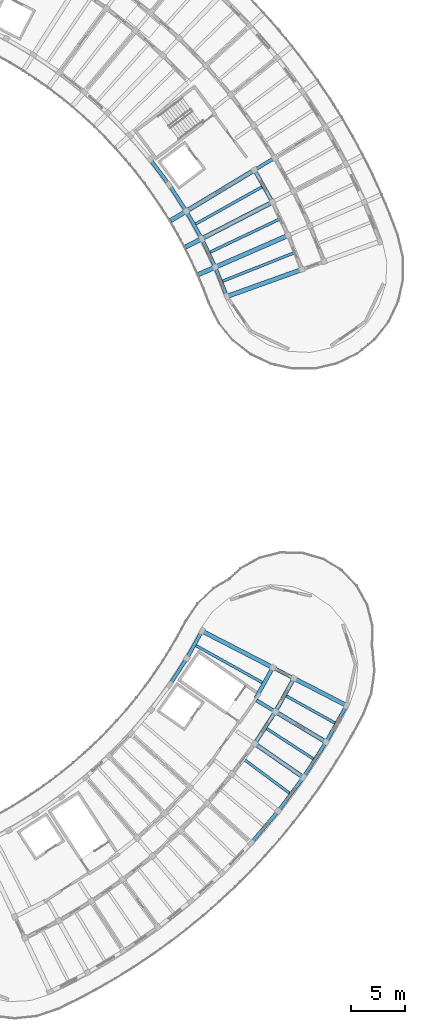
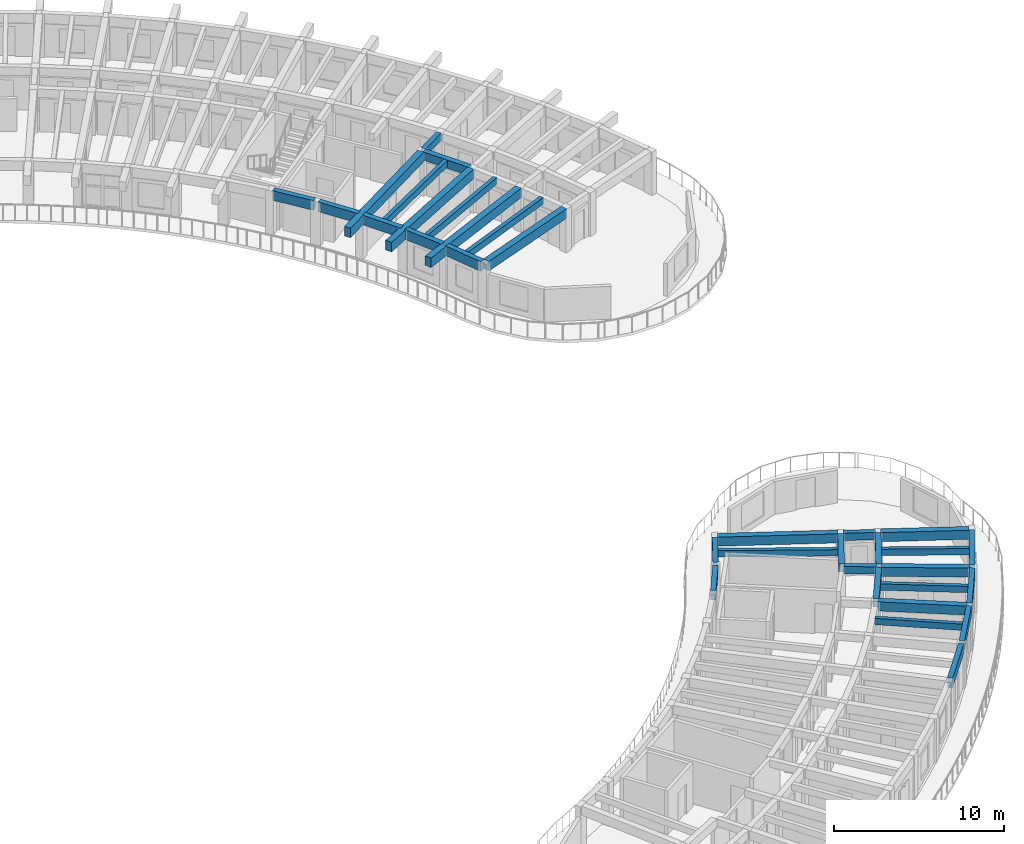
# One storey, part 12 of 56: 33 beams.
"""IFC4 building model written with IfcOpenShell, lengths in metres."""

import ifcopenshell
import ifcopenshell.guid

model = None  # the IFC model being written
_history = None  # IfcOwnerHistory: only IFC2X3 demands one
_inside = {}  # id of a spatial element -> (the spatial element, [elements in it])
_under = {}  # id of a project, library or spatial element -> (it, [spatial elements below it])
_declared = {}  # id of a project -> (the project, [libraries it declares])
_typed = {}  # id of a type object -> (the type object, [elements of that type])
_made_of = {}  # id of a material, layer set ... -> (it, [elements and type objects made of it])


def new_model(schema):
    """Start an empty IFC model of exactly this schema.

    Asked for "IFC4X3", IfcOpenShell would pick the latest addendum, in which some entities
    have other attributes; the version numbers below select the first issue.
    IFC2X3 requires an IfcOwnerHistory on every rooted entity: one is made here for all.
    """
    global model, _history
    if schema == "IFC4X3":
        model = ifcopenshell.file(schema_version=(4, 3, 0, 0))
    else:
        model = ifcopenshell.file(schema=schema)
    _inside.clear()
    _under.clear()
    _declared.clear()
    _typed.clear()
    _made_of.clear()
    _history = None
    if model.schema == "IFC2X3":
        org = make("IfcOrganization", Name="unknown")
        user = make(
            "IfcPersonAndOrganization",
            ThePerson=make("IfcPerson", FamilyName="unknown"),
            TheOrganization=org,
        )
        app = make(
            "IfcApplication",
            ApplicationDeveloper=org,
            Version="unknown",
            ApplicationFullName="unknown",
            ApplicationIdentifier="unknown",
        )
        _history = make(
            "IfcOwnerHistory",
            OwningUser=user,
            OwningApplication=app,
            ChangeAction="ADDED",
            CreationDate=0,
        )
    return model


def make(cls, **values):
    """One entity of the class cls with the attributes given. An attribute that is None is left unset."""
    return model.create_entity(
        cls, **{name: value for name, value in values.items() if value is not None}
    )


def rooted(cls, **values):
    """An entity with a GlobalId (a new one), such as an element, a storey or a relation."""
    return make(cls, GlobalId=ifcopenshell.guid.new(), OwnerHistory=_history, **values)


def si_unit(unit_type, name, prefix=None):
    """IfcSIUnit, for example si_unit("LENGTHUNIT", "METRE", prefix="MILLI")."""
    return make("IfcSIUnit", UnitType=unit_type, Prefix=prefix, Name=name)


def assignment(units):
    """IfcUnitAssignment: the units of a project."""
    return None if units is None else make("IfcUnitAssignment", Units=units)


def point(xyz):
    """IfcCartesianPoint."""
    return None if xyz is None else make("IfcCartesianPoint", Coordinates=xyz)


def direction(xyz):
    """IfcDirection."""
    return None if xyz is None else make("IfcDirection", DirectionRatios=xyz)


def frame(location, z_axis=None, x_axis=None):
    """IfcAxis2Placement3D, a coordinate frame: its origin and axes. An axis left out is left unset."""
    return make(
        "IfcAxis2Placement3D",
        Location=point(location),
        Axis=direction(z_axis),
        RefDirection=direction(x_axis),
    )


def frame_2d(location, x_axis=None):
    """IfcAxis2Placement2D, a coordinate frame in the plane: its origin and x axis."""
    return make(
        "IfcAxis2Placement2D", Location=point(location), RefDirection=direction(x_axis)
    )


def origin():
    """The frame at (0, 0, 0) with its axes left unset."""
    return frame((0.0, 0.0, 0.0))


def origin_2d():
    """The frame at (0, 0) in the plane with its x axis left unset."""
    return frame_2d((0.0, 0.0))


def place(relative_to, where):
    """IfcLocalPlacement: puts the frame where relative to a parent placement (None: the world)."""
    return make(
        "IfcLocalPlacement", PlacementRelTo=relative_to, RelativePlacement=where
    )


def context(
    kind, dimensions, precision=None, world=None, true_north=None, identifier=None
):
    """IfcGeometricRepresentationContext, for example the 3D "Model" context."""
    return make(
        "IfcGeometricRepresentationContext",
        ContextIdentifier=identifier,
        ContextType=kind,
        CoordinateSpaceDimension=dimensions,
        Precision=precision,
        WorldCoordinateSystem=world,
        TrueNorth=true_north,
    )


def subcontext(parent, identifier, kind, view, scale=None):
    """IfcGeometricRepresentationSubContext, for example "Body" below "Model"."""
    return make(
        "IfcGeometricRepresentationSubContext",
        ContextIdentifier=identifier,
        ContextType=kind,
        ParentContext=parent,
        TargetScale=scale,
        TargetView=view,
    )


def project(units=None, contexts=None):
    """IfcProject with its units and contexts."""
    return rooted(
        "IfcProject",
        Name="project",
        RepresentationContexts=contexts,
        UnitsInContext=assignment(units),
    )


def spatial(cls, under=None, at=None, **own):
    """A site, building, storey or space (cls), placed at a placement, below another one or the project."""
    s = rooted(cls, ObjectPlacement=at, **own)
    if under is not None:
        _under.setdefault(under.id(), (under, []))[1].append(s)
    return s


def profile(cls, at=None, kind="AREA", **sizes):
    """A parametric profile (cls). Its sizes go by their IFC names, for example OverallWidth=200.0."""
    return make(cls, ProfileType=kind, Position=at, **sizes)


def rectangle(**sizes):
    """IfcRectangleProfileDef."""
    return profile("IfcRectangleProfileDef", **sizes)


def extrude(swept, where, along, depth):
    """IfcExtrudedAreaSolid: the profile swept, set in the frame where, extruded along a direction by depth."""
    return make(
        "IfcExtrudedAreaSolid",
        SweptArea=swept,
        Position=where,
        ExtrudedDirection=direction(along),
        Depth=depth,
    )


def shape(context_of_items, identifier, shape_type, items):
    """IfcShapeRepresentation: the items that make up one representation, for example the "Body"."""
    return make(
        "IfcShapeRepresentation",
        ContextOfItems=context_of_items,
        RepresentationIdentifier=identifier,
        RepresentationType=shape_type,
        Items=items,
    )


def material(Name=None, Category=None):
    """IfcMaterial."""
    return make("IfcMaterial", Name=Name, Category=Category)


def material_profile(
    of_material, cross_section, Name=None, Category=None, Priority=None
):
    """IfcMaterialProfile: a cross section and its material."""
    return make(
        "IfcMaterialProfile",
        Name=Name,
        Material=of_material,
        Profile=cross_section,
        Priority=Priority,
        Category=Category,
    )


def profile_set(profiles, Name=None, composite=None):
    """IfcMaterialProfileSet."""
    return make(
        "IfcMaterialProfileSet",
        Name=Name,
        MaterialProfiles=profiles,
        CompositeProfile=composite,
    )


def made_of(thing, what):
    """Note that an element or type object is made of a material, layer set ...; save() writes the relation."""
    if what is not None:
        _made_of.setdefault(what.id(), (what, []))[1].append(thing)
    return thing


def type_object(cls, material=None, **own):
    """A type object (cls), such as IfcWallType, which elements share."""
    return made_of(rooted(cls, **own), material)


def element(
    cls,
    number,
    at=None,
    inside=None,
    cuts=None,
    type_object=None,
    material=None,
    context=None,
    identifier="Body",
    shape_type=None,
    held_by="IfcProductDefinitionShape",
    body=None,
    shapes=None,
    **own,
):
    """One element of the class cls, such as IfcWall. Its Tag is "e" and its number.

    at: its placement. inside: the storey or other place that contains it. cuts: it is an
    opening in that element (IfcRelVoidsElement). A single representation is given by context,
    identifier, shape_type and body (its items); several are given by shapes. held_by: the class
    of the entity that holds the representations. save() writes the other relations.
    """
    e = rooted(cls, Tag="e%d" % number, ObjectPlacement=at, **own)
    if body is not None:
        shapes = [shape(context, identifier, shape_type, body)]
    if shapes is not None:
        e.Representation = make(held_by, Representations=shapes)
    if inside is not None:
        _inside.setdefault(inside.id(), (inside, []))[1].append(e)
    if cuts is not None:
        rooted(
            "IfcRelVoidsElement", RelatingBuildingElement=cuts, RelatedOpeningElement=e
        )
    if type_object is not None:
        _typed.setdefault(type_object.id(), (type_object, []))[1].append(e)
    return made_of(e, material)


def aggregate(whole, parts):
    """IfcRelAggregates: a whole, such as a stair, and the parts it consists of."""
    return rooted("IfcRelAggregates", RelatingObject=whole, RelatedObjects=parts)


def save(model, path):
    """Write the relations noted so far, then the file.

    IfcRelAggregates (storeys below a building ...), IfcRelContainedInSpatialStructure (elements
    in a storey), IfcRelDefinesByType, IfcRelAssociatesMaterial and IfcRelDeclares: one each for
    every whole, place, type object, material and project.
    """
    for whole, parts in _under.values():
        aggregate(whole, parts)
    for where, things in _inside.values():
        rooted(
            "IfcRelContainedInSpatialStructure",
            RelatedElements=things,
            RelatingStructure=where,
        )
    for kind, things in _typed.values():
        rooted("IfcRelDefinesByType", RelatedObjects=things, RelatingType=kind)
    for what, things in _made_of.values():
        rooted("IfcRelAssociatesMaterial", RelatedObjects=things, RelatingMaterial=what)
    for by, libraries in _declared.values():
        rooted("IfcRelDeclares", RelatingContext=by, RelatedDefinitions=libraries)
    model.write(path)


model = new_model("IFC4")

# Units and contexts
model_context = context("Model", 3, precision=1e-05, world=origin(), true_north=direction((0.0, 1.0)))
body_context = subcontext(model_context, "Body", "Model", "MODEL_VIEW")
ifc_project = project(units=[si_unit("LENGTHUNIT", "METRE"), si_unit("AREAUNIT", "SQUARE_METRE"), si_unit("VOLUMEUNIT", "CUBIC_METRE"), si_unit("PLANEANGLEUNIT", "RADIAN"), si_unit("MASSUNIT", "GRAM", prefix="KILO")], contexts=[model_context])

# Site, building, storey
site_placement = place(None, origin())
site = spatial("IfcSite", under=ifc_project, at=site_placement, CompositionType="ELEMENT")
building_placement = place(site_placement, origin())
building = spatial("IfcBuilding", under=site, at=building_placement, Name="Tanwirah Colonnade Gardens", CompositionType="ELEMENT")
storey_placement = place(building_placement, frame((0.0, 0.0, 29.0)))
storey = spatial("IfcBuildingStorey", under=building, at=storey_placement, Name="L08", CompositionType="ELEMENT", Elevation=29.0)

# Beams
ifc_material_1 = material(Name="Precast concrete C40/50", Category="concrete")
ifc_material_profile_1 = material_profile(ifc_material_1, rectangle(XDim=0.360107421875, YDim=0.610107421875, at=origin_2d()), Name="PC-BM 360x610")
ifc_profile_set_1 = profile_set([ifc_material_profile_1], Name="Precast concrete C40/50")
beam_type_1 = type_object("IfcBeamType", Name="BM-PC300", PredefinedType="BEAM", material=ifc_profile_set_1)
beam_1_placement = place(storey_placement, frame((165.491455078125, 33.817626953125, 2.820068359375), z_axis=(0.542825891173, 0.839845254718, 0.0), x_axis=(-0.839845254718, 0.542825891173, 0.0)))
element("IfcBeam", 1, at=beam_1_placement, inside=storey, type_object=beam_type_1, Name="Block D L08 Circumferential Beam 11-R2", PredefinedType="BEAM", context=body_context, shape_type="SweptSolid", body=[
    extrude(rectangle(XDim=0.360107421875, YDim=0.610107421875, at=origin_2d()), origin(), (0.0, 0.0, 1.0), 3.23681640625),
])
beam_2_placement = place(storey_placement, frame((165.51708984375, 37.92626953125, 2.820068359375), z_axis=(0.486708181837, 0.873564620239, 0.0), x_axis=(-0.873564620239, 0.486708181837, 0.0)))
element("IfcBeam", 2, at=beam_2_placement, inside=storey, type_object=beam_type_1, Name="Block D L08 Circumferential Beam 12-R1", PredefinedType="BEAM", context=body_context, shape_type="SweptSolid", body=[
    extrude(rectangle(XDim=0.360107421875, YDim=0.610107421875, at=origin_2d()), origin(), (0.0, 0.0, 1.0), 3.093017578125),
])
beam_3_placement = place(storey_placement, frame((167.40283203125, 36.793212890625, 2.820068359375), z_axis=(0.486712025227, 0.873562478875, 0.0), x_axis=(-0.873562478875, 0.486712025227, 0.0)))
element("IfcBeam", 3, at=beam_3_placement, inside=storey, type_object=beam_type_1, Name="Block D L08 Circumferential Beam 12-R2", PredefinedType="BEAM", context=body_context, shape_type="SweptSolid", body=[
    extrude(rectangle(XDim=0.360107421875, YDim=0.610107421875, at=origin_2d()), origin(), (0.0, 0.0, 1.0), 3.23681640625),
])
ifc_material_profile_2 = material_profile(ifc_material_1, rectangle(XDim=0.320068359375, YDim=0.52001953125, at=origin_2d()), Name="PC-BM 320x520")
ifc_profile_set_2 = profile_set([ifc_material_profile_2], Name="Precast concrete C40/50")
beam_type_2 = type_object("IfcBeamType", Name="BM-PC320", PredefinedType="BEAM", material=ifc_profile_set_2)
for number, where, z_axis, x_axis, name in (
    (4, (165.520751953125, 87.068359375, 2.85498046875), (0.856174920318, 0.516686080534, 0.0), (-0.516686080534, 0.856174920318, 0.0), "Block B L08 Corridor Tie Beam 4"),
    (5, (165.57275390625, 37.718017578125, 2.864990234375), (0.857186654737, -0.515005863017, 0.0), (0.515005863017, 0.857186654737, 0.0), "Block D L08 Corridor Tie Beam 12"),
    (6, (167.22900390625, 40.690673828125, 2.864990234375), (0.888965044602, -0.457975053334, 0.0), (0.457975053334, 0.888965044602, 0.0), "Block D L08 Corridor Tie Beam 13"),
):
    element("IfcBeam", number, at=place(storey_placement, frame(where, z_axis=z_axis, x_axis=x_axis)), inside=storey, type_object=beam_type_2, Name=name, PredefinedType="BEAM", context=body_context, shape_type="SweptSolid", body=[
        extrude(rectangle(XDim=0.320068359375, YDim=0.52001953125, at=origin_2d()), origin(), (0.0, 0.0, 1.0), 1.89990234375),
    ])
ifc_material_profile_3 = material_profile(ifc_material_1, rectangle(XDim=0.35009765625, YDim=0.60009765625, at=origin_2d()), Name="PC-BM 350x600")
ifc_profile_set_3 = profile_set([ifc_material_profile_3], Name="Precast concrete C40/50")
beam_type_3 = type_object("IfcBeamType", Name="BM-PC350B", PredefinedType="BEAM", material=ifc_profile_set_3)
beam_4_placement = place(storey_placement, frame((166.98779296875, 84.138671875, 2.81494140625), z_axis=(-0.488200372352, 0.872731571811, 0.0), x_axis=(-0.872731571811, -0.488200372352, 0.0)))
element("IfcBeam", 7, at=beam_4_placement, inside=storey, type_object=beam_type_3, Name="Block B L08 Circumferential Beam 3-R1", PredefinedType="BEAM", context=body_context, shape_type="SweptSolid", body=[
    extrude(rectangle(XDim=0.35009765625, YDim=0.60009765625, at=origin_2d()), origin(), (0.0, 0.0, 1.0), 3.117919921875),
])
ifc_material_2 = material(Name="Precast concrete C45/55", Category="concrete")
ifc_material_profile_4 = material_profile(ifc_material_2, rectangle(XDim=0.39990234375, YDim=0.64990234375, at=origin_2d()), Name="PC-BM 400x650")
ifc_profile_set_4 = profile_set([ifc_material_profile_4], Name="Precast concrete C45/55")
beam_type_4 = type_object("IfcBeamType", Name="BM-PC400", PredefinedType="BEAM", material=ifc_profile_set_4)
beam_5_placement = place(storey_placement, frame((165.533203125, 33.606201171875, 2.800048828125), z_axis=(0.821644204852, -0.570000702309, 0.0), x_axis=(0.570000702309, 0.821644204852, 0.0)))
element("IfcBeam", 8, at=beam_5_placement, inside=storey, type_object=beam_type_4, Name="Block D L08 Outer Radial Precast Girder 11", PredefinedType="BEAM", context=body_context, shape_type="SweptSolid", body=[
    extrude(rectangle(XDim=0.39990234375, YDim=0.64990234375, at=origin_2d()), origin(), (0.0, 0.0, 1.0), 5.2001953125),
])
beam_6_placement = place(storey_placement, frame((167.45849609375, 36.5849609375, 2.800048828125), z_axis=(0.857165483371, -0.515041099445, 0.0), x_axis=(0.515041099445, 0.857165483371, 0.0)))
element("IfcBeam", 9, at=beam_6_placement, inside=storey, type_object=beam_type_4, Name="Block D L08 Outer Radial Precast Girder 12", PredefinedType="BEAM", context=body_context, shape_type="SweptSolid", body=[
    extrude(rectangle(XDim=0.39990234375, YDim=0.64990234375, at=origin_2d()), origin(), (0.0, 0.0, 1.0), 5.199951171875),
])
beam_7_placement = place(storey_placement, frame((166.962158203125, 40.827880859375, 2.800048828125), z_axis=(-0.889012732153, 0.457882476265, 0.0), x_axis=(-0.457882476265, -0.889012732153, 0.0)))
element("IfcBeam", 10, at=beam_7_placement, inside=storey, type_object=beam_type_4, Name="Block D L08 Inner Radial Precast Girder 13", PredefinedType="BEAM", context=body_context, shape_type="SweptSolid", body=[
    extrude(rectangle(XDim=0.39990234375, YDim=0.64990234375, at=origin_2d()), origin(), (0.0, 0.0, 1.0), 7.10009765625),
])
beam_8_placement = place(storey_placement, frame((169.184814453125, 39.683349609375, 2.800048828125), z_axis=(0.889001198624, -0.457904868771, 0.0), x_axis=(0.457904868771, 0.889001198624, 0.0)))
element("IfcBeam", 11, at=beam_8_placement, inside=storey, type_object=beam_type_4, Name="Block D L08 Outer Radial Precast Girder 13", PredefinedType="BEAM", context=body_context, shape_type="SweptSolid", body=[
    extrude(rectangle(XDim=0.39990234375, YDim=0.64990234375, at=origin_2d()), origin(), (0.0, 0.0, 1.0), 5.199951171875),
])
ifc_material_profile_5 = material_profile(ifc_material_2, rectangle(XDim=0.419921875, YDim=0.679931640625, at=origin_2d()), Name="PC-BM 420x680")
ifc_profile_set_5 = profile_set([ifc_material_profile_5], Name="Precast concrete C45/55")
beam_type_5 = type_object("IfcBeamType", Name="BM-PC420", PredefinedType="BEAM", material=ifc_profile_set_5)
beam_9_placement = place(storey_placement, frame((169.650390625, 77.69384765625, 2.77490234375), z_axis=(-0.941016219432, -0.338361455792, 0.0), x_axis=(0.338361455792, -0.941016219432, 0.0)))
element("IfcBeam", 12, at=beam_9_placement, inside=storey, type_object=beam_type_5, Name="Block B L08 Inner Radial Precast Girder 1", PredefinedType="BEAM", context=body_context, shape_type="SweptSolid", body=[
    extrude(rectangle(XDim=0.419921875, YDim=0.679931640625, at=origin_2d()), origin(), (0.0, 0.0, 1.0), 7.099853515625),
])
beam_10_placement = place(storey_placement, frame((168.39208984375, 80.861328125, 2.77490234375), z_axis=(-0.916669317869, -0.399646545934, 0.0), x_axis=(0.399646545934, -0.916669317869, 0.0)))
element("IfcBeam", 13, at=beam_10_placement, inside=storey, type_object=beam_type_5, Name="Block B L08 Inner Radial Precast Girder 2", PredefinedType="BEAM", context=body_context, shape_type="SweptSolid", body=[
    extrude(rectangle(XDim=0.419921875, YDim=0.679931640625, at=origin_2d()), origin(), (0.0, 0.0, 1.0), 8.9501953125),
])
beam_11_placement = place(storey_placement, frame((166.927734375, 83.93896484375, 2.77490234375), z_axis=(-0.888345427876, -0.459175784175, 0.0), x_axis=(0.459175784175, -0.888345427876, 0.0)))
element("IfcBeam", 14, at=beam_11_placement, inside=storey, type_object=beam_type_5, Name="Block B L08 Inner Radial Precast Girder 3", PredefinedType="BEAM", context=body_context, shape_type="SweptSolid", body=[
    extrude(rectangle(XDim=0.419921875, YDim=0.679931640625, at=origin_2d()), origin(), (0.0, 0.0, 1.0), 8.949951171875),
])
beam_12_placement = place(storey_placement, frame((165.263916015625, 86.913330078125, 2.77490234375), z_axis=(-0.856168728297, -0.516696340887, 0.0), x_axis=(0.516696340887, -0.856168728297, 0.0)))
element("IfcBeam", 15, at=beam_12_placement, inside=storey, type_object=beam_type_5, Name="Block B L08 Inner Radial Precast Girder 4", PredefinedType="BEAM", context=body_context, shape_type="SweptSolid", body=[
    extrude(rectangle(XDim=0.419921875, YDim=0.679931640625, at=origin_2d()), origin(), (0.0, 0.0, 1.0), 8.9501953125),
])
ifc_material_profile_6 = material_profile(ifc_material_1, rectangle(XDim=0.2548828125, YDim=0.455078125, at=origin_2d()), Name="PC-JST 255x455")
ifc_profile_set_6 = profile_set([ifc_material_profile_6], Name="Precast concrete C40/50")
beam_type_6 = type_object("IfcBeamType", Name="JST-PC240", PredefinedType="JOIST", material=ifc_profile_set_6)
for number, where, z_axis, x_axis, name in (
    (16, (164.474609375, 32.18359375, 2.8974609375), (0.802560347737, -0.596570941499, 0.0), (0.596570941499, 0.802560347737, 0.0), "Block D L08 Precast Floor Joist 10"),
    (17, (166.4951171875, 35.09619140625, 2.8974609375), (0.839842770955, -0.542829733963, 0.0), (0.542829733963, 0.839842770955, 0.0), "Block D L08 Precast Floor Joist 11"),
    (18, (168.32080078125, 38.134521484375, 2.8974609375), (0.87356769437, -0.486702664214, 0.0), (0.486702664214, 0.87356769437, 0.0), "Block D L08 Precast Floor Joist 12"),
):
    element("IfcBeam", number, at=place(storey_placement, frame(where, z_axis=z_axis, x_axis=x_axis)), inside=storey, type_object=beam_type_6, Name=name, PredefinedType="JOIST", context=body_context, shape_type="SweptSolid", body=[
        extrude(rectangle(XDim=0.2548828125, YDim=0.455078125, at=origin_2d()), origin(), (0.0, 0.0, 1.0), 5.260009765625),
    ])
beam_13_placement = place(storey_placement, frame((159.9345703125, 42.80712890625, 2.8974609375), z_axis=(0.873559899034, -0.486716655561, 0.0), x_axis=(0.486716655561, 0.873559899034, 0.0)))
element("IfcBeam", 19, at=beam_13_placement, inside=storey, type_object=beam_type_6, Name="Block D L08 Inner Precast Floor Joist 12", PredefinedType="JOIST", context=body_context, shape_type="SweptSolid", body=[
    extrude(rectangle(XDim=0.2548828125, YDim=0.455078125, at=origin_2d()), origin(), (0.0, 0.0, 1.0), 7.159912109375),
])
ifc_material_profile_7 = material_profile(ifc_material_1, rectangle(XDim=0.260009765625, YDim=0.4599609375, at=origin_2d()), Name="PC-JST 260x460")
ifc_profile_set_7 = profile_set([ifc_material_profile_7], Name="Precast concrete C40/50")
beam_type_7 = type_object("IfcBeamType", Name="JST-PC260", PredefinedType="JOIST", material=ifc_profile_set_7)
for number, where, z_axis, x_axis, name in (
    (20, (162.4208984375, 76.655517578125, 2.885009765625), (0.929348880779, 0.369202732649, 0.0), (-0.369202732649, 0.929348880779, 0.0), "Block B L08 Inner Precast Floor Joist 1"),
    (21, (161.246826171875, 79.348876953125, 2.885009765625), (0.903005429363, 0.429629136048, 0.0), (-0.429629136048, 0.903005429363, 0.0), "Block B L08 Inner Precast Floor Joist 2"),
    (22, (159.897705078125, 81.958984375, 2.885009765625), (0.872726875563, 0.488208767506, 0.0), (-0.488208767506, 0.872726875563, 0.0), "Block B L08 Inner Precast Floor Joist 3"),
):
    element("IfcBeam", number, at=place(storey_placement, frame(where, z_axis=z_axis, x_axis=x_axis)), inside=storey, type_object=beam_type_7, Name=name, PredefinedType="JOIST", context=body_context, shape_type="SweptSolid", body=[
        extrude(rectangle(XDim=0.260009765625, YDim=0.4599609375, at=origin_2d()), origin(), (0.0, 0.0, 1.0), 7.16015625),
    ])
ifc_material_profile_8 = material_profile(ifc_material_1, rectangle(XDim=0.324951171875, YDim=0.68505859375, at=origin_2d()), Name="PC-SP 325x685")
ifc_profile_set_8 = profile_set([ifc_material_profile_8], Name="Precast concrete C40/50")
beam_type_8 = type_object("IfcBeamType", Name="SP-PC260", PredefinedType="SPANDREL", material=ifc_profile_set_8)
beam_14_placement = place(storey_placement, frame((165.17724609375, 24.574951171875, 2.782470703125), z_axis=(0.647784367984, 0.76182374116, 0.0), x_axis=(-0.76182374116, 0.647784367984, 0.0)))
element("IfcBeam", 23, at=beam_14_placement, inside=storey, type_object=beam_type_8, Name="Block D L08 Circumferential Beam 9-R3", PredefinedType="SPANDREL", context=body_context, shape_type="SweptSolid", body=[
    extrude(rectangle(XDim=0.324951171875, YDim=0.68505859375, at=origin_2d()), origin(), (0.0, 0.0, 1.0), 3.5966796875),
])
beam_15_placement = place(storey_placement, frame((167.69384765625, 27.549560546875, 2.782470703125), z_axis=(0.596562665898, 0.802566499212, 0.0), x_axis=(-0.802566499212, 0.596562665898, 0.0)))
element("IfcBeam", 24, at=beam_15_placement, inside=storey, type_object=beam_type_8, Name="Block D L08 Circumferential Beam 10-R3", PredefinedType="SPANDREL", context=body_context, shape_type="SweptSolid", body=[
    extrude(rectangle(XDim=0.324951171875, YDim=0.68505859375, at=origin_2d()), origin(), (0.0, 0.0, 1.0), 3.596923828125),
])
beam_16_placement = place(storey_placement, frame((157.603515625, 39.28955078125, 2.782470703125), z_axis=(0.542874837406, 0.83981361677, 0.0), x_axis=(-0.83981361677, 0.542874837406, 0.0)))
element("IfcBeam", 25, at=beam_16_placement, inside=storey, type_object=beam_type_8, Name="Block D L08 Circumferential Beam 11-R0", PredefinedType="SPANDREL", context=body_context, shape_type="SweptSolid", body=[
    extrude(rectangle(XDim=0.324951171875, YDim=0.68505859375, at=origin_2d()), origin(), (0.0, 0.0, 1.0), 2.60888671875),
])
beam_17_placement = place(storey_placement, frame((170.010498046875, 30.6826171875, 2.782470703125), z_axis=(0.542786838894, 0.839870494495, 0.0), x_axis=(-0.839870494495, 0.542786838894, 0.0)))
element("IfcBeam", 26, at=beam_17_placement, inside=storey, type_object=beam_type_8, Name="Block D L08 Circumferential Beam 11-R3", PredefinedType="SPANDREL", context=body_context, shape_type="SweptSolid", body=[
    extrude(rectangle(XDim=0.324951171875, YDim=0.68505859375, at=origin_2d()), origin(), (0.0, 0.0, 1.0), 3.596923828125),
])
beam_18_placement = place(storey_placement, frame((159.174072265625, 41.737548828125, 2.782470703125), z_axis=(0.486747049114, 0.873542964129, 0.0), x_axis=(-0.873542964129, 0.486747049114, 0.0)))
element("IfcBeam", 27, at=beam_18_placement, inside=storey, type_object=beam_type_8, Name="Block D L08 Circumferential Beam 12-R0", PredefinedType="SPANDREL", context=body_context, shape_type="SweptSolid", body=[
    extrude(rectangle(XDim=0.324951171875, YDim=0.68505859375, at=origin_2d()), origin(), (0.0, 0.0, 1.0), 2.608642578125),
])
beam_19_placement = place(storey_placement, frame((172.117431640625, 33.96044921875, 2.782470703125), z_axis=(0.486679958674, 0.87358034423, 0.0), x_axis=(-0.87358034423, 0.486679958674, 0.0)))
element("IfcBeam", 28, at=beam_19_placement, inside=storey, type_object=beam_type_8, Name="Block D L08 Circumferential Beam 12-R3", PredefinedType="SPANDREL", context=body_context, shape_type="SweptSolid", body=[
    extrude(rectangle(XDim=0.324951171875, YDim=0.68505859375, at=origin_2d()), origin(), (0.0, 0.0, 1.0), 3.5966796875),
])
ifc_material_profile_9 = material_profile(ifc_material_1, rectangle(XDim=0.3349609375, YDim=0.695068359375, at=origin_2d()), Name="PC-SP 335x695")
ifc_profile_set_9 = profile_set([ifc_material_profile_9], Name="Precast concrete C40/50")
beam_type_9 = type_object("IfcBeamType", Name="SP-PC300", PredefinedType="SPANDREL", material=ifc_profile_set_9)
beam_20_placement = place(storey_placement, frame((162.772705078125, 75.380126953125, 2.767578125), z_axis=(-0.369245181709, 0.929332015904, 0.0), x_axis=(-0.929332015904, -0.369245181709, 0.0)))
element("IfcBeam", 29, at=beam_20_placement, inside=storey, type_object=beam_type_9, Name="Block B L08 Circumferential Beam 1-R0", PredefinedType="SPANDREL", context=body_context, shape_type="SweptSolid", body=[
    extrude(rectangle(XDim=0.3349609375, YDim=0.695068359375, at=origin_2d()), origin(), (0.0, 0.0, 1.0), 2.630126953125),
])
beam_21_placement = place(storey_placement, frame((161.681640625, 78.099365234375, 2.767578125), z_axis=(-0.42964173036, 0.902999437172, 0.0), x_axis=(-0.902999437172, -0.42964173036, 0.0)))
element("IfcBeam", 30, at=beam_21_placement, inside=storey, type_object=beam_type_9, Name="Block B L08 Circumferential Beam 2-R0", PredefinedType="SPANDREL", context=body_context, shape_type="SweptSolid", body=[
    extrude(rectangle(XDim=0.3349609375, YDim=0.695068359375, at=origin_2d()), origin(), (0.0, 0.0, 1.0), 2.63037109375),
])
beam_22_placement = place(storey_placement, frame((160.413818359375, 80.740966796875, 2.767578125), z_axis=(-0.488170837957, 0.872748092503, 0.0), x_axis=(-0.872748092503, -0.488170837957, 0.0)))
element("IfcBeam", 31, at=beam_22_placement, inside=storey, type_object=beam_type_9, Name="Block B L08 Circumferential Beam 3-R0", PredefinedType="SPANDREL", context=body_context, shape_type="SweptSolid", body=[
    extrude(rectangle(XDim=0.3349609375, YDim=0.695068359375, at=origin_2d()), origin(), (0.0, 0.0, 1.0), 2.630126953125),
])
for number, where, z_axis, x_axis, name in (
    (32, (158.974853515625, 83.29296875, 2.767578125), (-0.544570677829, 0.838714955661, 0.0), (-0.838714955661, -0.544570677829, 0.0), "Block B L08 Circumferential Beam 4-R0"),
    (33, (157.370849609375, 85.744873046875, 2.767578125), (-0.598662613551, 0.80100129534, 0.0), (-0.80100129534, -0.598662613551, 0.0), "Block B L08 Circumferential Beam 5-R0"),
):
    element("IfcBeam", number, at=place(storey_placement, frame(where, z_axis=z_axis, x_axis=x_axis)), inside=storey, type_object=beam_type_9, Name=name, PredefinedType="SPANDREL", context=body_context, shape_type="SweptSolid", body=[
        extrude(rectangle(XDim=0.3349609375, YDim=0.695068359375, at=origin_2d()), origin(), (0.0, 0.0, 1.0), 2.63037109375),
    ])

save(model, "model.ifc")
